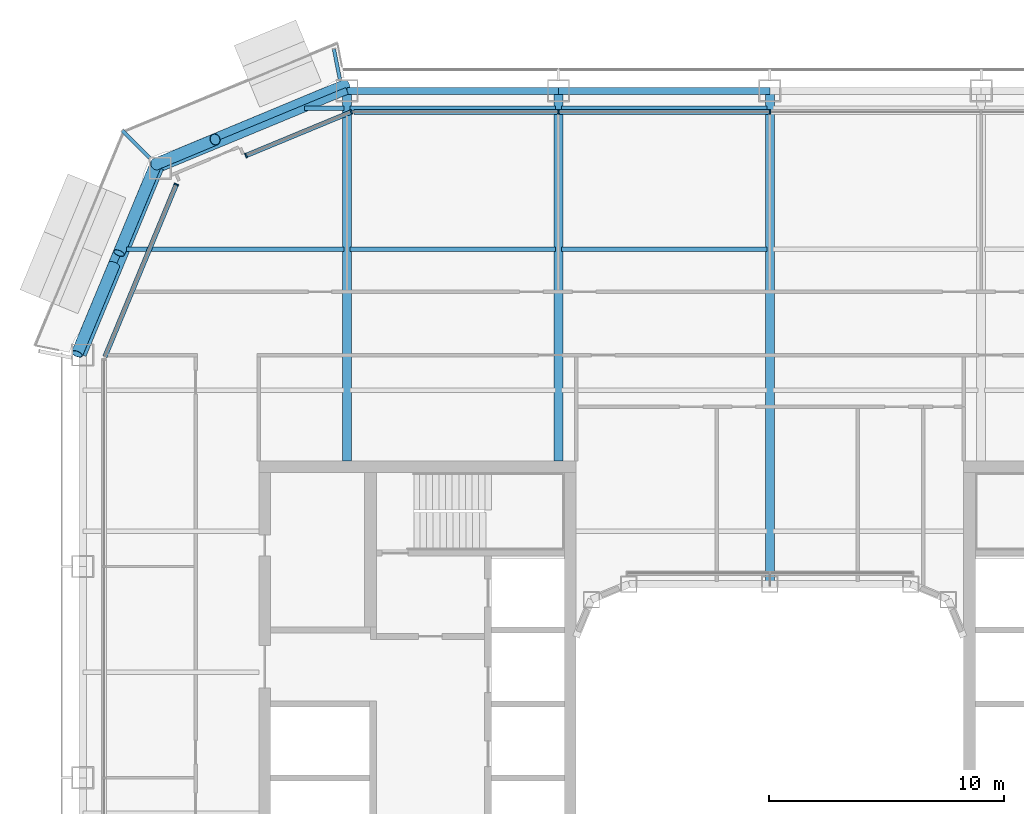
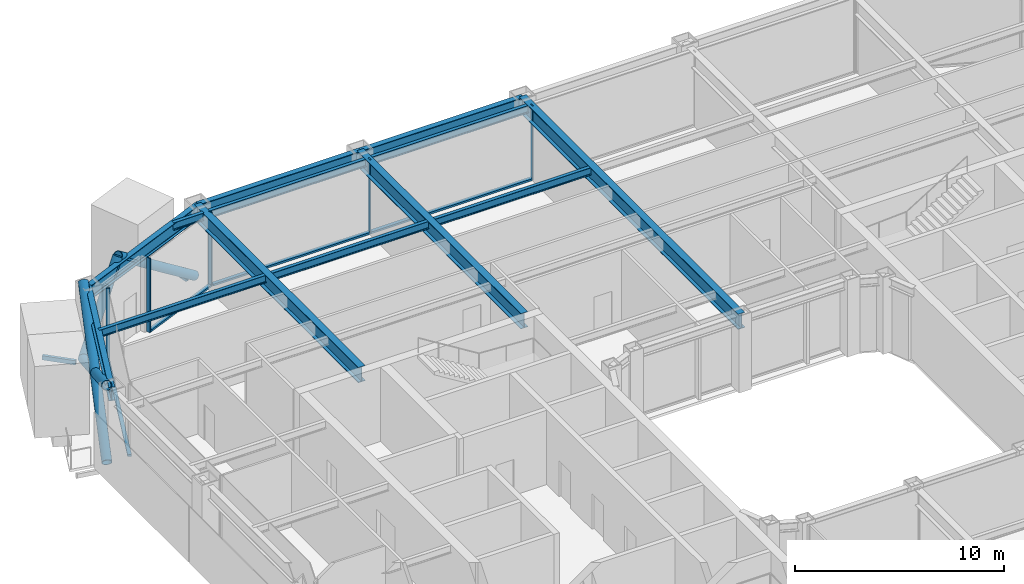
# One storey, part 7 of 23: 15 beams, 14 members, 3 elements without a shape of their own.
"""IFC4 building model written with IfcOpenShell, lengths in metres."""

from ifc_helpers import new_model, si_unit, direction, frame, origin, origin_2d, place, context, subcontext, project, spatial, rectangle, hollow_rectangle, hollow_circle, i_section, extrude, material, layer, layer_set, material_profile, profile_set, type_object, element, aggregate, save


model = new_model("IFC4")

# Units and contexts
model_context = context("Model", 3, precision=1e-05, world=origin(), true_north=direction((0.0, 1.0)))
body_context = subcontext(model_context, "Body", "Model", "MODEL_VIEW")
ifc_project = project(units=[si_unit("LENGTHUNIT", "METRE"), si_unit("AREAUNIT", "SQUARE_METRE"), si_unit("VOLUMEUNIT", "CUBIC_METRE"), si_unit("PLANEANGLEUNIT", "RADIAN"), si_unit("MASSUNIT", "GRAM", prefix="KILO")], contexts=[model_context])

# Site, building, storey
site_placement = place(None, origin())
site = spatial("IfcSite", under=ifc_project, at=site_placement, CompositionType="ELEMENT")
building_placement = place(site_placement, origin())
building = spatial("IfcBuilding", under=site, at=building_placement, Name="Siwar Civic Tower", CompositionType="ELEMENT")
storey_placement = place(building_placement, frame((0.0, 0.0, 118.199951171875)))
storey = spatial("IfcBuildingStorey", under=building, at=storey_placement, Name="L25", CompositionType="ELEMENT", Elevation=118.199951171875)

# Beams
ifc_material_1 = material(Name="Steel S355", Category="steel")
ifc_material_profile_1 = material_profile(ifc_material_1, hollow_rectangle(XDim=0.14990234375, YDim=0.25, WallThickness=0.010009765625, at=origin_2d()), Name="RHS250x150x10")
ifc_profile_set_1 = profile_set([ifc_material_profile_1], Name="Steel S355")
beam_type_1 = type_object("IfcBeamType", Name="ENV-BALCONY ARM", PredefinedType="BEAM", material=ifc_profile_set_1)
beam_1_placement = place(storey_placement, frame((-18.30029296875, 29.73486328125, -0.27490234375), z_axis=(-0.195189223115, 0.980765602568, 0.0), x_axis=(-0.980765602568, -0.195189223115, 0.0)))
element("IfcBeam", 1, at=beam_1_placement, inside=storey, type_object=beam_type_1, Name="Balcony cantilever beam NW 1", PredefinedType="BEAM", context=body_context, shape_type="SweptSolid", body=[
    extrude(hollow_rectangle(XDim=0.14990234375, YDim=0.25, WallThickness=0.010009765625, at=origin_2d()), origin(), (0.0, 0.0, 1.0), 1.317138671875),
])
beam_2_placement = place(storey_placement, frame((-26.39453125, 26.39453125, -0.27490234375), z_axis=(-0.707106781187, 0.707106781187, 0.0), x_axis=(-0.707106781187, -0.707106781187, 0.0)))
element("IfcBeam", 2, at=beam_2_placement, inside=storey, type_object=beam_type_1, Name="Balcony cantilever beam NW 2", PredefinedType="BEAM", context=body_context, shape_type="SweptSolid", body=[
    extrude(hollow_rectangle(XDim=0.14990234375, YDim=0.25, WallThickness=0.010009765625, at=origin_2d()), origin(), (0.0, 0.0, 1.0), 1.6513671875),
])

# Curtain wall, members
ifc_material_2 = material(Name="Aluminium and glass", Category="aluminium")
ifc_layer_1 = layer(ifc_material_2, 0.199951171875)
ifc_layer_set_1 = layer_set([ifc_layer_1], Name="Aluminium and glass")
curtain_wall_type_1 = type_object("IfcCurtainWallType", Name="ENV-CW-B", PredefinedType="NOTDEFINED", material=ifc_layer_set_1)
curtain_wall_1_placement = place(storey_placement, origin())
curtain_wall_1 = element("IfcCurtainWall", 3, at=curtain_wall_1_placement, inside=storey, type_object=curtain_wall_type_1, Name="Curtain wall B N", PredefinedType="NOTDEFINED")
ifc_material_3 = material(Name="Aluminium 6063-T6", Category="aluminium")
ifc_material_profile_2 = material_profile(ifc_material_3, rectangle(XDim=0.199951171875, YDim=0.06494140625, at=origin_2d()), Name="AL 200x65")
ifc_profile_set_2 = profile_set([ifc_material_profile_2], Name="Aluminium 6063-T6")
member_type_1 = type_object("IfcMemberType", Name="ENV-MULLION-B", PredefinedType="MULLION", material=ifc_profile_set_2)
member_1_placement = place(storey_placement, frame((0.0, 28.35009765625, 0.0), z_axis=(0.0, 0.0, 1.0), x_axis=(0.0, -1.0, 0.0)))
member_1 = element("IfcMember", 4, at=member_1_placement, type_object=member_type_1, Name="Mullion B N 3", PredefinedType="MULLION", context=body_context, shape_type="SweptSolid", body=[
    extrude(rectangle(XDim=0.199951171875, YDim=0.06494140625, at=origin_2d()), origin(), (0.0, 0.0, 1.0), 4.35009765625),
])
member_2_placement = place(storey_placement, frame((-9.0, 28.35009765625, 0.0), z_axis=(0.0, 0.0, 1.0), x_axis=(0.0, -1.0, 0.0)))
member_2 = element("IfcMember", 5, at=member_2_placement, type_object=member_type_1, Name="Mullion B N 4", PredefinedType="MULLION", context=body_context, shape_type="SweptSolid", body=[
    extrude(rectangle(XDim=0.199951171875, YDim=0.06494140625, at=origin_2d()), origin(), (0.0, 0.0, 1.0), 4.35009765625),
])

ifc_material_4 = material(Name="Aluminium clad insulated panel", Category="aluminium")
ifc_layer_2 = layer(ifc_material_4, 0.199951171875)
ifc_layer_set_2 = layer_set([ifc_layer_2], Name="Aluminium clad insulated panel")
curtain_wall_type_2 = type_object("IfcCurtainWallType", Name="ENV-CW-BX", PredefinedType="NOTDEFINED", material=ifc_layer_set_2)
curtain_wall_2_placement = place(storey_placement, origin())
curtain_wall_2 = element("IfcCurtainWall", 6, at=curtain_wall_2_placement, inside=storey, type_object=curtain_wall_type_2, Name="Curtain wall B NW1", PredefinedType="NOTDEFINED")
member_3_placement = place(storey_placement, frame((-17.821044921875, 28.35009765625, 0.0), z_axis=(0.0, 0.0, 1.0), x_axis=(0.382683432365, -0.923879532511, 0.0)))
member_3 = element("IfcMember", 7, at=member_3_placement, type_object=member_type_1, Name="Mullion B NW1 1", PredefinedType="MULLION", context=body_context, shape_type="SweptSolid", body=[
    extrude(rectangle(XDim=0.199951171875, YDim=0.06494140625, at=origin_2d()), origin(), (0.0, 0.0, 1.0), 4.35009765625),
])
member_4_placement = place(storey_placement, frame((-22.299072265625, 26.4951171875, 0.0), z_axis=(0.0, 0.0, 1.0), x_axis=(0.382683432365, -0.923879532511, 0.0)))
member_4 = element("IfcMember", 8, at=member_4_placement, type_object=member_type_1, Name="Mullion B NW1 2", PredefinedType="MULLION", context=body_context, shape_type="SweptSolid", body=[
    extrude(rectangle(XDim=0.199951171875, YDim=0.06494140625, at=origin_2d()), origin(), (0.0, 0.0, 1.0), 4.35009765625),
])

# Curtain wall, member
curtain_wall_3_placement = place(storey_placement, origin())
curtain_wall_3 = element("IfcCurtainWall", 9, at=curtain_wall_3_placement, inside=storey, type_object=curtain_wall_type_2, Name="Curtain wall B NW2", PredefinedType="NOTDEFINED")
member_5_placement = place(storey_placement, frame((-25.26611328125, 25.26611328125, 0.0), z_axis=(0.0, 0.0, 1.0), x_axis=(0.923879532511, -0.382683432365, 0.0)))
member_5 = element("IfcMember", 10, at=member_5_placement, type_object=member_type_1, Name="Mullion B NW2 1", PredefinedType="MULLION", context=body_context, shape_type="SweptSolid", body=[
    extrude(rectangle(XDim=0.199951171875, YDim=0.06494140625, at=origin_2d()), origin(), (0.0, 0.0, 1.0), 4.35009765625),
])

# Member
ifc_material_5 = material(Name="Aluminium 6063-T6", Category="aluminium")
ifc_material_profile_3 = material_profile(ifc_material_5, rectangle(XDim=0.199951171875, YDim=0.110107421875, at=origin_2d()), Name="AL 200x110")
ifc_profile_set_3 = profile_set([ifc_material_profile_3], Name="Aluminium 6063-T6")
member_type_2 = type_object("IfcMemberType", Name="ENV-TRANSOM-B", PredefinedType="USERDEFINED", material=ifc_profile_set_3)
member_6_placement = place(storey_placement, frame((-0.032470703125, 28.35009765625, 0.054931640625), z_axis=(-1.0, 0.0, 0.0), x_axis=(0.0, -1.0, 0.0)))
member_6 = element("IfcMember", 11, at=member_6_placement, type_object=member_type_2, Name="Transom B N 3", ObjectType="TRANSOM", PredefinedType="USERDEFINED", context=body_context, shape_type="SweptSolid", body=[
    extrude(rectangle(XDim=0.199951171875, YDim=0.110107421875, at=origin_2d()), origin(), (0.0, 0.0, 1.0), 8.93505859375),
])

member_7_placement = place(storey_placement, frame((-9.032470703125, 28.35009765625, 0.054931640625), z_axis=(-1.0, 0.0, 0.0), x_axis=(0.0, -1.0, 0.0)))
member_7 = element("IfcMember", 12, at=member_7_placement, type_object=member_type_2, Name="Transom B N 4", ObjectType="TRANSOM", PredefinedType="USERDEFINED", context=body_context, shape_type="SweptSolid", body=[
    extrude(rectangle(XDim=0.199951171875, YDim=0.110107421875, at=origin_2d()), origin(), (0.0, 0.0, 1.0), 8.6748046875),
])

aggregate(curtain_wall_1, [member_1, member_2, member_6, member_7])

member_8_placement = place(storey_placement, frame((-17.85107421875, 28.337646484375, 0.054931640625), z_axis=(-0.923872467912, -0.382700487371, 0.0), x_axis=(0.382700487371, -0.923872467912, 0.0)))
member_8 = element("IfcMember", 13, at=member_8_placement, type_object=member_type_2, Name="Transom B NW1 1", ObjectType="TRANSOM", PredefinedType="USERDEFINED", context=body_context, shape_type="SweptSolid", body=[
    extrude(rectangle(XDim=0.199951171875, YDim=0.110107421875, at=origin_2d()), origin(), (0.0, 0.0, 1.0), 4.781982421875),
])

aggregate(curtain_wall_2, [member_3, member_4, member_8])

member_9_placement = place(storey_placement, frame((-25.278564453125, 25.236083984375, 0.054931640625), z_axis=(-0.382673358825, -0.923883705044, 0.0), x_axis=(0.923883705044, -0.382673358825, 0.0)))
member_9 = element("IfcMember", 14, at=member_9_placement, type_object=member_type_2, Name="Transom B NW2 1", ObjectType="TRANSOM", PredefinedType="USERDEFINED", context=body_context, shape_type="SweptSolid", body=[
    extrude(rectangle(XDim=0.199951171875, YDim=0.110107421875, at=origin_2d()), origin(), (0.0, 0.0, 1.0), 7.912353515625),
])

aggregate(curtain_wall_3, [member_5, member_9])

# Members
ifc_material_6 = material(Name="Steel S355", Category="steel")
ifc_material_profile_4 = material_profile(ifc_material_6, hollow_circle(Radius=0.25390625, WallThickness=0.02490234375, at=origin_2d()), Name="CHS508x25")
ifc_profile_set_4 = profile_set([ifc_material_profile_4], Name="Steel S355")
member_type_3 = type_object("IfcMemberType", Name="STR-BR-CHS508x25", PredefinedType="BRACE", material=ifc_profile_set_4)
member_10_placement = place(storey_placement, frame((-29.4951171875, 18.048828125, 0.0), z_axis=(0.341671493852, 0.821142553604, 0.457149315816), x_axis=(-0.923264922524, 0.384163874976, 0.0)))
element("IfcMember", 15, at=member_10_placement, inside=storey, type_object=member_type_3, Name="L25/brc/BNW1-4-0-1", PredefinedType="BRACE", context=body_context, shape_type="SweptSolid", body=[
    extrude(hollow_circle(Radius=0.25390625, WallThickness=0.02490234375, at=origin_2d()), origin(), (0.0, 0.0, 1.0), 9.843505859375),
])
member_11_placement = place(storey_placement, frame((-26.1318359375, 26.1318359375, 0.0), z_axis=(-0.341662474736, -0.821143275065, 0.457154760636), x_axis=(0.923268638995, -0.384154943021, 0.0)))
element("IfcMember", 16, at=member_11_placement, inside=storey, type_object=member_type_3, Name="L25/brc/BNW1-4-0-2", PredefinedType="BRACE", context=body_context, shape_type="SweptSolid", body=[
    extrude(hollow_circle(Radius=0.25390625, WallThickness=0.02490234375, at=origin_2d()), origin(), (0.0, 0.0, 1.0), 4.61474609375),
])
member_12_placement = place(storey_placement, frame((-27.91845703125, 21.837890625, 2.390625), z_axis=(-0.34168558233, -0.821145902409, 0.457132770413), x_axis=(0.923259859753, -0.384176042158, 0.0)))
element("IfcMember", 17, at=member_12_placement, inside=storey, type_object=member_type_3, Name="L25/brc/BNW1-4-0-3", PredefinedType="BRACE", context=body_context, shape_type="SweptSolid", body=[
    extrude(hollow_circle(Radius=0.25390625, WallThickness=0.02490234375, at=origin_2d()), origin(), (0.0, 0.0, 1.0), 4.6142578125),
])
member_13_placement = place(storey_placement, frame((-18.048828125, 29.4951171875, 0.0), z_axis=(-0.739973158344, -0.307903068035, 0.598026275029), x_axis=(0.384169803352, -0.923262455747, 0.0)))
element("IfcMember", 18, at=member_13_placement, inside=storey, type_object=member_type_3, Name="L25/brc/BNW1-4-0-0", PredefinedType="BRACE", context=body_context, shape_type="SweptSolid", body=[
    extrude(hollow_circle(Radius=0.25390625, WallThickness=0.02490234375, at=origin_2d()), origin(), (0.0, 0.0, 1.0), 7.524658203125),
])
member_14_placement = place(storey_placement, frame((-26.1318359375, 26.1318359375, 0.0), z_axis=(0.478099094869, 0.198925611165, 0.855482236349), x_axis=(-0.384150749045, 0.92327038402, 0.0)))
element("IfcMember", 19, at=member_14_placement, inside=storey, type_object=member_type_3, Name="L25/brc/BNW1-4-0-6", PredefinedType="BRACE", context=body_context, shape_type="SweptSolid", body=[
    extrude(hollow_circle(Radius=0.25390625, WallThickness=0.02490234375, at=origin_2d()), origin(), (0.0, 0.0, 1.0), 5.26025390625),
])

# Beams
ifc_material_7 = material(Name="Steel S355", Category="steel")
ifc_material_profile_5 = material_profile(ifc_material_7, i_section(OverallWidth=0.18994140625, OverallDepth=0.449951171875, WebThickness=0.009521484375, FlangeThickness=0.0146484375, FilletRadius=0.02099609375, at=origin_2d()), Name="IPE450")
ifc_profile_set_5 = profile_set([ifc_material_profile_5], Name="Steel S355")
beam_type_2 = type_object("IfcBeamType", Name="STR-FB-IPE450", PredefinedType="JOIST", material=ifc_profile_set_5)
beam_3_placement = place(storey_placement, frame((-27.385986328125, 22.5, 4.125), z_axis=(1.0, 0.0, 0.0), x_axis=(0.0, 1.0, 0.0)))
element("IfcBeam", 20, at=beam_3_placement, inside=storey, type_object=beam_type_2, Name="L25/bm/F037", PredefinedType="JOIST", context=body_context, shape_type="SweptSolid", body=[
    extrude(i_section(OverallWidth=0.18994140625, OverallDepth=0.449951171875, WebThickness=0.009521484375, FlangeThickness=0.0146484375, FilletRadius=0.02099609375, at=origin_2d()), origin(), (0.0, 0.0, 1.0), 9.256103515625),
])
for number, where, z_axis, x_axis, name in (
    (21, (-17.8701171875, 22.5, 4.125), (1.0, 0.0, 0.0), (0.0, 1.0, 0.0), "L25/bm/F038"),
    (22, (-8.8701171875, 22.5, 4.125), (1.0, 0.0, 0.0), (0.0, 1.0, 0.0), "L25/bm/F039"),
):
    element("IfcBeam", number, at=place(storey_placement, frame(where, z_axis=z_axis, x_axis=x_axis)), inside=storey, type_object=beam_type_2, Name=name, PredefinedType="JOIST", context=body_context, shape_type="SweptSolid", body=[
        extrude(i_section(OverallWidth=0.18994140625, OverallDepth=0.449951171875, WebThickness=0.009521484375, FlangeThickness=0.0146484375, FilletRadius=0.02099609375, at=origin_2d()), origin(), (0.0, 0.0, 1.0), 8.740234375),
    ])
beam_4_placement = place(storey_placement, frame((-19.810546875, 28.5, 4.125), z_axis=(1.0, 0.0, 0.0), x_axis=(0.0, 1.0, 0.0)))
element("IfcBeam", 23, at=beam_4_placement, inside=storey, type_object=beam_type_2, Name="L25/bm/F043", PredefinedType="JOIST", context=body_context, shape_type="SweptSolid", body=[
    extrude(i_section(OverallWidth=0.18994140625, OverallDepth=0.449951171875, WebThickness=0.009521484375, FlangeThickness=0.0146484375, FilletRadius=0.02099609375, at=origin_2d()), origin(), (0.0, 0.0, 1.0), 1.6806640625),
])
for number, where, z_axis, x_axis, name in (
    (24, (-17.8701171875, 28.5, 4.125), (1.0, 0.0, 0.0), (0.0, 1.0, 0.0), "L25/bm/F044"),
    (25, (-8.8701171875, 28.5, 4.125), (1.0, 0.0, 0.0), (0.0, 1.0, 0.0), "L25/bm/F045"),
):
    element("IfcBeam", number, at=place(storey_placement, frame(where, z_axis=z_axis, x_axis=x_axis)), inside=storey, type_object=beam_type_2, Name=name, PredefinedType="JOIST", context=body_context, shape_type="SweptSolid", body=[
        extrude(i_section(OverallWidth=0.18994140625, OverallDepth=0.449951171875, WebThickness=0.009521484375, FlangeThickness=0.0146484375, FilletRadius=0.02099609375, at=origin_2d()), origin(), (0.0, 0.0, 1.0), 8.740234375),
    ])
ifc_material_8 = material(Name="Steel S355", Category="steel")
ifc_material_profile_6 = material_profile(ifc_material_8, i_section(OverallWidth=0.3798828125, OverallDepth=0.89990234375, WebThickness=0.01611328125, FlangeThickness=0.035888671875, at=origin_2d()), Name="PG900x380x16x36")
ifc_profile_set_6 = profile_set([ifc_material_profile_6], Name="Steel S355")
beam_type_3 = type_object("IfcBeamType", Name="STR-PG-PG900x380x16x36", PredefinedType="BEAM", material=ifc_profile_set_6)
for number, where, z_axis, x_axis, name in (
    (26, (-18.0, 13.5, 3.900146484375), (0.0, 1.0, 0.0), (-1.0, 0.0, 0.0), "L25/bm/G02"),
    (27, (-9.0, 13.5, 3.900146484375), (0.0, 1.0, 0.0), (-1.0, 0.0, 0.0), "L25/bm/G04"),
):
    element("IfcBeam", number, at=place(storey_placement, frame(where, z_axis=z_axis, x_axis=x_axis)), inside=storey, type_object=beam_type_3, Name=name, PredefinedType="BEAM", context=body_context, shape_type="SweptSolid", body=[
        extrude(i_section(OverallWidth=0.3798828125, OverallDepth=0.89990234375, WebThickness=0.01611328125, FlangeThickness=0.035888671875, at=origin_2d()), origin(), (0.0, 0.0, 1.0), 15.75),
    ])
beam_5_placement = place(storey_placement, frame((0.0, 8.25, 3.900146484375), z_axis=(0.0, 1.0, 0.0), x_axis=(-1.0, 0.0, 0.0)))
element("IfcBeam", 28, at=beam_5_placement, inside=storey, type_object=beam_type_3, Name="L25/bm/G06", PredefinedType="BEAM", context=body_context, shape_type="SweptSolid", body=[
    extrude(i_section(OverallWidth=0.3798828125, OverallDepth=0.89990234375, WebThickness=0.01611328125, FlangeThickness=0.035888671875, at=origin_2d()), origin(), (0.0, 0.0, 1.0), 21.0),
])
ifc_material_9 = material(Name="Steel S355", Category="steel")
ifc_material_profile_7 = material_profile(ifc_material_9, i_section(OverallWidth=0.300048828125, OverallDepth=0.800048828125, WebThickness=0.017578125, FlangeThickness=0.032958984375, FilletRadius=0.030029296875, at=origin_2d()), Name="HEB800")
ifc_profile_set_7 = profile_set([ifc_material_profile_7], Name="Steel S355")
beam_type_4 = type_object("IfcBeamType", Name="STR-SB-HEB800", PredefinedType="BEAM", material=ifc_profile_set_7)
for number, where, z_axis, x_axis, name in (
    (29, (0.0, 29.25, 3.949951171875), (-1.0, 0.0, 0.0), (0.0, -1.0, 0.0), "L25/bm/SN-2"),
    (30, (-9.0, 29.25, 3.949951171875), (-1.0, 0.0, 0.0), (0.0, -1.0, 0.0), "L25/bm/SN-3"),
):
    element("IfcBeam", number, at=place(storey_placement, frame(where, z_axis=z_axis, x_axis=x_axis)), inside=storey, type_object=beam_type_4, Name=name, PredefinedType="BEAM", context=body_context, shape_type="SweptSolid", body=[
        extrude(i_section(OverallWidth=0.300048828125, OverallDepth=0.800048828125, WebThickness=0.017578125, FlangeThickness=0.032958984375, FilletRadius=0.030029296875, at=origin_2d()), origin(), (0.0, 0.0, 1.0), 9.0),
    ])
for number, where, z_axis, x_axis, name in (
    (31, (-18.0, 29.25, 3.949951171875), (-0.923872720536, -0.382699877515, 0.0), (0.382699877515, -0.923872720536, 0.0), "L25/bm/SNW1-0"),
    (32, (-25.954833984375, 25.954833984375, 3.949951171875), (-0.382699877515, -0.923872720536, 0.0), (0.923872720536, -0.382699877515, 0.0), "L25/bm/SNW2-0"),
):
    element("IfcBeam", number, at=place(storey_placement, frame(where, z_axis=z_axis, x_axis=x_axis)), inside=storey, type_object=beam_type_4, Name=name, PredefinedType="BEAM", context=body_context, shape_type="SweptSolid", body=[
        extrude(i_section(OverallWidth=0.300048828125, OverallDepth=0.800048828125, WebThickness=0.017578125, FlangeThickness=0.032958984375, FilletRadius=0.030029296875, at=origin_2d()), origin(), (0.0, 0.0, 1.0), 8.6103515625),
    ])

save(model, "model.ifc")
